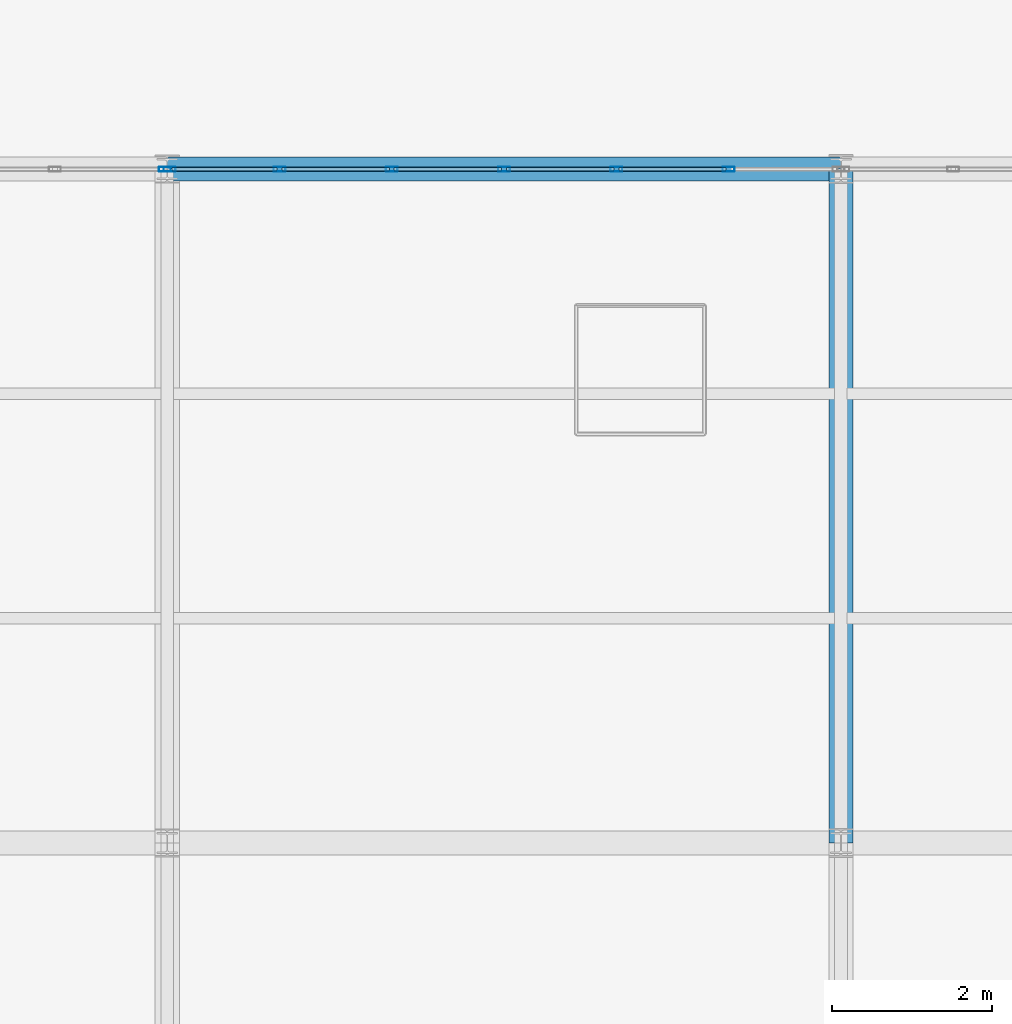
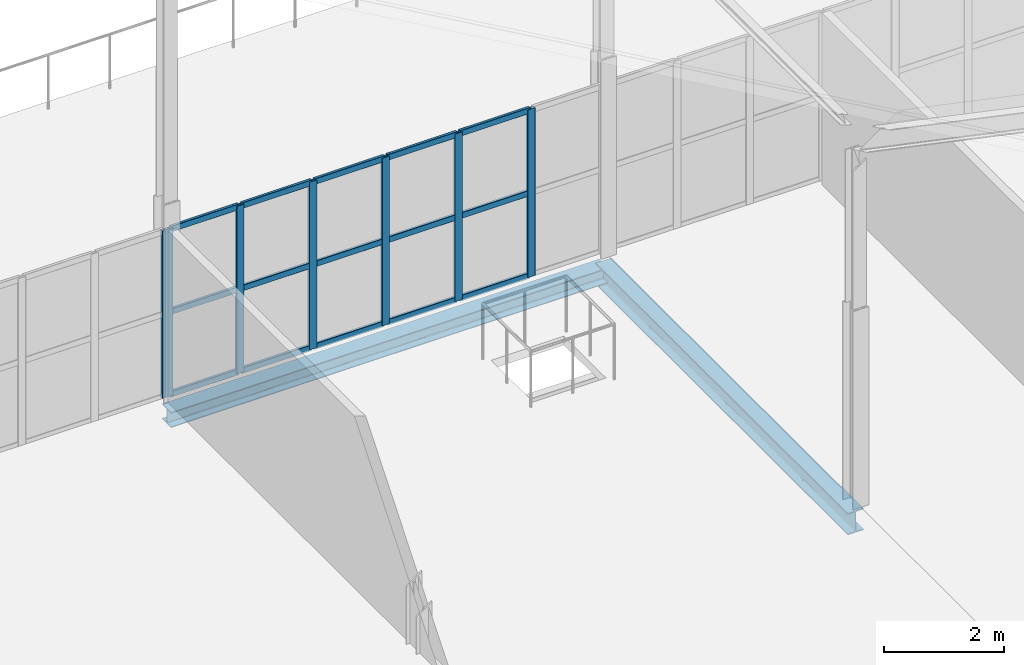
# One storey, part 108 of 184: 22 members, 2 beams, 2 elements without a shape of their own.
"""IFC4 building model written with IfcOpenShell, lengths in metres."""

from ifc_helpers import new_model, si_unit, direction, frame, origin, origin_2d, place, context, subcontext, project, spatial, hollow_rectangle, i_section, extrude, material, layer, layer_set, material_profile, profile_set, type_object, element, aggregate, save


model = new_model("IFC4")

# Units and contexts
model_context = context("Model", 3, precision=1e-05, world=origin(), true_north=direction((0.0, 1.0)))
body_context = subcontext(model_context, "Body", "Model", "MODEL_VIEW")
ifc_project = project(units=[si_unit("LENGTHUNIT", "METRE"), si_unit("AREAUNIT", "SQUARE_METRE"), si_unit("VOLUMEUNIT", "CUBIC_METRE"), si_unit("PLANEANGLEUNIT", "RADIAN"), si_unit("MASSUNIT", "GRAM", prefix="KILO")], contexts=[model_context])

# Site, building, storey
site_placement = place(None, origin())
site = spatial("IfcSite", under=ifc_project, at=site_placement, CompositionType="ELEMENT")
building_placement = place(site_placement, origin())
building = spatial("IfcBuilding", under=site, at=building_placement, Name="Qalvenar Corner Mobility Hub", CompositionType="ELEMENT")
storey_placement = place(building_placement, frame((0.0, 0.0, 9.0)))
storey = spatial("IfcBuildingStorey", under=building, at=storey_placement, Name="L02", CompositionType="ELEMENT", Elevation=9.0)

# Beams
ifc_material_1 = material(Name="Steel S355", Category="steel")
ifc_material_profile_1 = material_profile(ifc_material_1, i_section(OverallWidth=0.300048828125, OverallDepth=0.43994140625, WebThickness=0.011474609375, FlangeThickness=0.02099609375, FilletRadius=0.027099609375, at=origin_2d()), Name="HEA450")
ifc_profile_set_1 = profile_set([ifc_material_profile_1], Name="Steel S355")
beam_type_1 = type_object("IfcBeamType", Name="BM-HEA450", PredefinedType="BEAM", material=ifc_profile_set_1)
beam_1_placement = place(storey_placement, frame((16.800048828125, 75.60009765625, -0.39990234375), z_axis=(0.0, 1.0, 0.0), x_axis=(-1.0, 0.0, 0.0)))
element("IfcBeam", 1, at=beam_1_placement, inside=storey, type_object=beam_type_1, Name="Primary Steel Girder GY-1853", PredefinedType="BEAM", context=body_context, shape_type="SweptSolid", body=[
    extrude(i_section(OverallWidth=0.300048828125, OverallDepth=0.43994140625, WebThickness=0.011474609375, FlangeThickness=0.02099609375, FilletRadius=0.027099609375, at=origin_2d()), origin(), (0.0, 0.0, 1.0), 8.39990234375),
])
ifc_material_profile_2 = material_profile(ifc_material_1, i_section(OverallWidth=0.300048828125, OverallDepth=0.31005859375, WebThickness=0.009033203125, FlangeThickness=0.015380859375, FilletRadius=0.027099609375, at=origin_2d()), Name="HEA320")
ifc_profile_set_2 = profile_set([ifc_material_profile_2], Name="Steel S355")
beam_type_2 = type_object("IfcBeamType", Name="BM-SPN320", PredefinedType="SPANDREL", material=ifc_profile_set_2)
beam_2_placement = place(storey_placement, frame((8.39990234375, 84.0, -0.39697265625), z_axis=(1.0, 0.0, 0.0), x_axis=(0.0, 1.0, 0.0)))
element("IfcBeam", 2, at=beam_2_placement, inside=storey, type_object=beam_type_2, Name="Primary Steel Girder GX-1836", PredefinedType="SPANDREL", context=body_context, shape_type="SweptSolid", body=[
    extrude(i_section(OverallWidth=0.300048828125, OverallDepth=0.31005859375, WebThickness=0.009033203125, FlangeThickness=0.015380859375, FilletRadius=0.027099609375, at=origin_2d()), origin(), (0.0, 0.0, 1.0), 8.400146484375),
])

# Curtain wall, member
ifc_material_2 = material(Name="Anodised Aluminium and Low-E Glazing", Category="aluminium")
ifc_layer = layer(ifc_material_2, 0.14990234375)
ifc_layer_set = layer_set([ifc_layer], Name="Anodised Aluminium and Low-E Glazing")
curtain_wall_type = type_object("IfcCurtainWallType", Name="CW-CYC-84X39", PredefinedType="NOTDEFINED", material=ifc_layer_set)
curtain_wall_1_placement = place(storey_placement, origin())
curtain_wall_1 = element("IfcCurtainWall", 3, at=curtain_wall_1_placement, inside=storey, type_object=curtain_wall_type, Name="Glazed Curtain Wall CW-V5-L02-N0", PredefinedType="NOTDEFINED")
ifc_material_3 = material(Name="Anodised Aluminium 6063-T6", Category="aluminium")
ifc_material_profile_3 = material_profile(ifc_material_3, hollow_rectangle(XDim=0.06005859375, YDim=0.14990234375, WallThickness=0.00390625, InnerFilletRadius=0.00390625, OuterFilletRadius=0.008056640625, at=origin_2d()), Name="RHS150x60x4")
ifc_profile_set_3 = profile_set([ifc_material_profile_3], Name="Anodised Aluminium 6063-T6")
member_type_1 = type_object("IfcMemberType", Name="CW-MUL150", PredefinedType="MULLION", material=ifc_profile_set_3)
member_1_placement = place(storey_placement, frame((8.3701171875, 84.0, 0.0), z_axis=(0.0, 0.0, 1.0), x_axis=(0.0, -1.0, 0.0)))
member_1 = element("IfcMember", 4, at=member_1_placement, type_object=member_type_1, Name="CW-08 mullion 1", PredefinedType="MULLION", context=body_context, shape_type="SweptSolid", body=[
    extrude(hollow_rectangle(XDim=0.06005859375, YDim=0.14990234375, WallThickness=0.00390625, InnerFilletRadius=0.00390625, OuterFilletRadius=0.008056640625, at=origin_2d()), origin(), (0.0, 0.0, 1.0), 3.409912109375),
])
aggregate(curtain_wall_1, [member_1])

# Curtain wall, members
curtain_wall_2_placement = place(storey_placement, origin())
curtain_wall_2 = element("IfcCurtainWall", 5, at=curtain_wall_2_placement, inside=storey, type_object=curtain_wall_type, Name="Glazed Curtain Wall CW-V5-L02-N1", PredefinedType="NOTDEFINED")
member_2_placement = place(storey_placement, frame((15.39990234375, 84.0, 0.0), z_axis=(0.0, 0.0, 1.0), x_axis=(0.0, -1.0, 0.0)))
member_2 = element("IfcMember", 6, at=member_2_placement, type_object=member_type_1, Name="CW-08 mullion 2", PredefinedType="MULLION", context=body_context, shape_type="SweptSolid", body=[
    extrude(hollow_rectangle(XDim=0.06005859375, YDim=0.14990234375, WallThickness=0.00390625, InnerFilletRadius=0.00390625, OuterFilletRadius=0.008056640625, at=origin_2d()), origin(), (0.0, 0.0, 1.0), 3.409912109375),
])
member_3_placement = place(storey_placement, frame((14.0, 84.0, 0.0), z_axis=(0.0, 0.0, 1.0), x_axis=(0.0, -1.0, 0.0)))
member_3 = element("IfcMember", 7, at=member_3_placement, type_object=member_type_1, Name="CW-08 mullion 3", PredefinedType="MULLION", context=body_context, shape_type="SweptSolid", body=[
    extrude(hollow_rectangle(XDim=0.06005859375, YDim=0.14990234375, WallThickness=0.00390625, InnerFilletRadius=0.00390625, OuterFilletRadius=0.008056640625, at=origin_2d()), origin(), (0.0, 0.0, 1.0), 3.409912109375),
])
member_4_placement = place(storey_placement, frame((12.60009765625, 84.0, 0.0), z_axis=(0.0, 0.0, 1.0), x_axis=(0.0, -1.0, 0.0)))
member_4 = element("IfcMember", 8, at=member_4_placement, type_object=member_type_1, Name="CW-08 mullion 4", PredefinedType="MULLION", context=body_context, shape_type="SweptSolid", body=[
    extrude(hollow_rectangle(XDim=0.06005859375, YDim=0.14990234375, WallThickness=0.00390625, InnerFilletRadius=0.00390625, OuterFilletRadius=0.008056640625, at=origin_2d()), origin(), (0.0, 0.0, 1.0), 3.409912109375),
])
member_5_placement = place(storey_placement, frame((11.199951171875, 84.0, 0.0), z_axis=(0.0, 0.0, 1.0), x_axis=(0.0, -1.0, 0.0)))
member_5 = element("IfcMember", 9, at=member_5_placement, type_object=member_type_1, Name="CW-08 mullion 5", PredefinedType="MULLION", context=body_context, shape_type="SweptSolid", body=[
    extrude(hollow_rectangle(XDim=0.06005859375, YDim=0.14990234375, WallThickness=0.00390625, InnerFilletRadius=0.00390625, OuterFilletRadius=0.008056640625, at=origin_2d()), origin(), (0.0, 0.0, 1.0), 3.409912109375),
])
member_6_placement = place(storey_placement, frame((9.800048828125, 84.0, 0.0), z_axis=(0.0, 0.0, 1.0), x_axis=(0.0, -1.0, 0.0)))
member_6 = element("IfcMember", 10, at=member_6_placement, type_object=member_type_1, Name="CW-08 mullion 6", PredefinedType="MULLION", context=body_context, shape_type="SweptSolid", body=[
    extrude(hollow_rectangle(XDim=0.06005859375, YDim=0.14990234375, WallThickness=0.00390625, InnerFilletRadius=0.00390625, OuterFilletRadius=0.008056640625, at=origin_2d()), origin(), (0.0, 0.0, 1.0), 3.409912109375),
])
member_7_placement = place(storey_placement, frame((8.429931640625, 84.0, 0.0), z_axis=(0.0, 0.0, 1.0), x_axis=(0.0, -1.0, 0.0)))
member_7 = element("IfcMember", 11, at=member_7_placement, type_object=member_type_1, Name="CW-08 mullion 7", PredefinedType="MULLION", context=body_context, shape_type="SweptSolid", body=[
    extrude(hollow_rectangle(XDim=0.06005859375, YDim=0.14990234375, WallThickness=0.00390625, InnerFilletRadius=0.00390625, OuterFilletRadius=0.008056640625, at=origin_2d()), origin(), (0.0, 0.0, 1.0), 3.409912109375),
])
ifc_material_profile_4 = material_profile(ifc_material_3, hollow_rectangle(XDim=0.054931640625, YDim=0.1201171875, WallThickness=0.00341796875, InnerFilletRadius=0.00341796875, OuterFilletRadius=0.007080078125, at=origin_2d()), Name="RHS120x55x3.5")
ifc_profile_set_4 = profile_set([ifc_material_profile_4], Name="Anodised Aluminium 6063-T6")
member_type_2 = type_object("IfcMemberType", Name="CW-TRN120", PredefinedType="USERDEFINED", material=ifc_profile_set_4)
member_8_placement = place(storey_placement, frame((15.3701171875, 84.0, 0.027587890625), z_axis=(-1.0, 0.0, 0.0), x_axis=(0.0, -1.0, 0.0)))
member_8 = element("IfcMember", 12, at=member_8_placement, type_object=member_type_2, Name="CW-08 transom 2.1", ObjectType="TRANSOM", PredefinedType="USERDEFINED", context=body_context, shape_type="SweptSolid", body=[
    extrude(hollow_rectangle(XDim=0.054931640625, YDim=0.1201171875, WallThickness=0.00341796875, InnerFilletRadius=0.00341796875, OuterFilletRadius=0.007080078125, at=origin_2d()), origin(), (0.0, 0.0, 1.0), 1.340087890625),
])
member_9_placement = place(storey_placement, frame((15.3701171875, 84.0, 1.705078125), z_axis=(-1.0, 0.0, 0.0), x_axis=(0.0, -1.0, 0.0)))
member_9 = element("IfcMember", 13, at=member_9_placement, type_object=member_type_2, Name="CW-08 transom 2.2", ObjectType="TRANSOM", PredefinedType="USERDEFINED", context=body_context, shape_type="SweptSolid", body=[
    extrude(hollow_rectangle(XDim=0.054931640625, YDim=0.1201171875, WallThickness=0.00341796875, InnerFilletRadius=0.00341796875, OuterFilletRadius=0.007080078125, at=origin_2d()), origin(), (0.0, 0.0, 1.0), 1.340087890625),
])
member_10_placement = place(storey_placement, frame((15.3701171875, 84.0, 3.382568359375), z_axis=(-1.0, 0.0, 0.0), x_axis=(0.0, -1.0, 0.0)))
member_10 = element("IfcMember", 14, at=member_10_placement, type_object=member_type_2, Name="CW-08 transom 2.3", ObjectType="TRANSOM", PredefinedType="USERDEFINED", context=body_context, shape_type="SweptSolid", body=[
    extrude(hollow_rectangle(XDim=0.054931640625, YDim=0.1201171875, WallThickness=0.00341796875, InnerFilletRadius=0.00341796875, OuterFilletRadius=0.007080078125, at=origin_2d()), origin(), (0.0, 0.0, 1.0), 1.340087890625),
])
member_11_placement = place(storey_placement, frame((13.969970703125, 84.0, 0.027587890625), z_axis=(-1.0, 0.0, 0.0), x_axis=(0.0, -1.0, 0.0)))
member_11 = element("IfcMember", 15, at=member_11_placement, type_object=member_type_2, Name="CW-08 transom 3.1", ObjectType="TRANSOM", PredefinedType="USERDEFINED", context=body_context, shape_type="SweptSolid", body=[
    extrude(hollow_rectangle(XDim=0.054931640625, YDim=0.1201171875, WallThickness=0.00341796875, InnerFilletRadius=0.00341796875, OuterFilletRadius=0.007080078125, at=origin_2d()), origin(), (0.0, 0.0, 1.0), 1.340087890625),
])
member_12_placement = place(storey_placement, frame((13.969970703125, 84.0, 1.705078125), z_axis=(-1.0, 0.0, 0.0), x_axis=(0.0, -1.0, 0.0)))
member_12 = element("IfcMember", 16, at=member_12_placement, type_object=member_type_2, Name="CW-08 transom 3.2", ObjectType="TRANSOM", PredefinedType="USERDEFINED", context=body_context, shape_type="SweptSolid", body=[
    extrude(hollow_rectangle(XDim=0.054931640625, YDim=0.1201171875, WallThickness=0.00341796875, InnerFilletRadius=0.00341796875, OuterFilletRadius=0.007080078125, at=origin_2d()), origin(), (0.0, 0.0, 1.0), 1.340087890625),
])
member_13_placement = place(storey_placement, frame((13.969970703125, 84.0, 3.382568359375), z_axis=(-1.0, 0.0, 0.0), x_axis=(0.0, -1.0, 0.0)))
member_13 = element("IfcMember", 17, at=member_13_placement, type_object=member_type_2, Name="CW-08 transom 3.3", ObjectType="TRANSOM", PredefinedType="USERDEFINED", context=body_context, shape_type="SweptSolid", body=[
    extrude(hollow_rectangle(XDim=0.054931640625, YDim=0.1201171875, WallThickness=0.00341796875, InnerFilletRadius=0.00341796875, OuterFilletRadius=0.007080078125, at=origin_2d()), origin(), (0.0, 0.0, 1.0), 1.340087890625),
])
member_14_placement = place(storey_placement, frame((12.570068359375, 84.0, 0.027587890625), z_axis=(-1.0, 0.0, 0.0), x_axis=(0.0, -1.0, 0.0)))
member_14 = element("IfcMember", 18, at=member_14_placement, type_object=member_type_2, Name="CW-08 transom 4.1", ObjectType="TRANSOM", PredefinedType="USERDEFINED", context=body_context, shape_type="SweptSolid", body=[
    extrude(hollow_rectangle(XDim=0.054931640625, YDim=0.1201171875, WallThickness=0.00341796875, InnerFilletRadius=0.00341796875, OuterFilletRadius=0.007080078125, at=origin_2d()), origin(), (0.0, 0.0, 1.0), 1.340087890625),
])
member_15_placement = place(storey_placement, frame((12.570068359375, 84.0, 1.705078125), z_axis=(-1.0, 0.0, 0.0), x_axis=(0.0, -1.0, 0.0)))
member_15 = element("IfcMember", 19, at=member_15_placement, type_object=member_type_2, Name="CW-08 transom 4.2", ObjectType="TRANSOM", PredefinedType="USERDEFINED", context=body_context, shape_type="SweptSolid", body=[
    extrude(hollow_rectangle(XDim=0.054931640625, YDim=0.1201171875, WallThickness=0.00341796875, InnerFilletRadius=0.00341796875, OuterFilletRadius=0.007080078125, at=origin_2d()), origin(), (0.0, 0.0, 1.0), 1.340087890625),
])
member_16_placement = place(storey_placement, frame((12.570068359375, 84.0, 3.382568359375), z_axis=(-1.0, 0.0, 0.0), x_axis=(0.0, -1.0, 0.0)))
member_16 = element("IfcMember", 20, at=member_16_placement, type_object=member_type_2, Name="CW-08 transom 4.3", ObjectType="TRANSOM", PredefinedType="USERDEFINED", context=body_context, shape_type="SweptSolid", body=[
    extrude(hollow_rectangle(XDim=0.054931640625, YDim=0.1201171875, WallThickness=0.00341796875, InnerFilletRadius=0.00341796875, OuterFilletRadius=0.007080078125, at=origin_2d()), origin(), (0.0, 0.0, 1.0), 1.340087890625),
])
member_17_placement = place(storey_placement, frame((11.169921875, 84.0, 0.027587890625), z_axis=(-1.0, 0.0, 0.0), x_axis=(0.0, -1.0, 0.0)))
member_17 = element("IfcMember", 21, at=member_17_placement, type_object=member_type_2, Name="CW-08 transom 5.1", ObjectType="TRANSOM", PredefinedType="USERDEFINED", context=body_context, shape_type="SweptSolid", body=[
    extrude(hollow_rectangle(XDim=0.054931640625, YDim=0.1201171875, WallThickness=0.00341796875, InnerFilletRadius=0.00341796875, OuterFilletRadius=0.007080078125, at=origin_2d()), origin(), (0.0, 0.0, 1.0), 1.33984375),
])
member_18_placement = place(storey_placement, frame((11.169921875, 84.0, 1.705078125), z_axis=(-1.0, 0.0, 0.0), x_axis=(0.0, -1.0, 0.0)))
member_18 = element("IfcMember", 22, at=member_18_placement, type_object=member_type_2, Name="CW-08 transom 5.2", ObjectType="TRANSOM", PredefinedType="USERDEFINED", context=body_context, shape_type="SweptSolid", body=[
    extrude(hollow_rectangle(XDim=0.054931640625, YDim=0.1201171875, WallThickness=0.00341796875, InnerFilletRadius=0.00341796875, OuterFilletRadius=0.007080078125, at=origin_2d()), origin(), (0.0, 0.0, 1.0), 1.33984375),
])
member_19_placement = place(storey_placement, frame((11.169921875, 84.0, 3.382568359375), z_axis=(-1.0, 0.0, 0.0), x_axis=(0.0, -1.0, 0.0)))
member_19 = element("IfcMember", 23, at=member_19_placement, type_object=member_type_2, Name="CW-08 transom 5.3", ObjectType="TRANSOM", PredefinedType="USERDEFINED", context=body_context, shape_type="SweptSolid", body=[
    extrude(hollow_rectangle(XDim=0.054931640625, YDim=0.1201171875, WallThickness=0.00341796875, InnerFilletRadius=0.00341796875, OuterFilletRadius=0.007080078125, at=origin_2d()), origin(), (0.0, 0.0, 1.0), 1.33984375),
])
member_20_placement = place(storey_placement, frame((9.77001953125, 84.0, 0.027587890625), z_axis=(-1.0, 0.0, 0.0), x_axis=(0.0, -1.0, 0.0)))
member_20 = element("IfcMember", 24, at=member_20_placement, type_object=member_type_2, Name="CW-08 transom 6.1", ObjectType="TRANSOM", PredefinedType="USERDEFINED", context=body_context, shape_type="SweptSolid", body=[
    extrude(hollow_rectangle(XDim=0.054931640625, YDim=0.1201171875, WallThickness=0.00341796875, InnerFilletRadius=0.00341796875, OuterFilletRadius=0.007080078125, at=origin_2d()), origin(), (0.0, 0.0, 1.0), 1.31005859375),
])
member_21_placement = place(storey_placement, frame((9.77001953125, 84.0, 1.705078125), z_axis=(-1.0, 0.0, 0.0), x_axis=(0.0, -1.0, 0.0)))
member_21 = element("IfcMember", 25, at=member_21_placement, type_object=member_type_2, Name="CW-08 transom 6.2", ObjectType="TRANSOM", PredefinedType="USERDEFINED", context=body_context, shape_type="SweptSolid", body=[
    extrude(hollow_rectangle(XDim=0.054931640625, YDim=0.1201171875, WallThickness=0.00341796875, InnerFilletRadius=0.00341796875, OuterFilletRadius=0.007080078125, at=origin_2d()), origin(), (0.0, 0.0, 1.0), 1.31005859375),
])
member_22_placement = place(storey_placement, frame((9.77001953125, 84.0, 3.382568359375), z_axis=(-1.0, 0.0, 0.0), x_axis=(0.0, -1.0, 0.0)))
member_22 = element("IfcMember", 26, at=member_22_placement, type_object=member_type_2, Name="CW-08 transom 6.3", ObjectType="TRANSOM", PredefinedType="USERDEFINED", context=body_context, shape_type="SweptSolid", body=[
    extrude(hollow_rectangle(XDim=0.054931640625, YDim=0.1201171875, WallThickness=0.00341796875, InnerFilletRadius=0.00341796875, OuterFilletRadius=0.007080078125, at=origin_2d()), origin(), (0.0, 0.0, 1.0), 1.31005859375),
])
aggregate(curtain_wall_2, [member_2, member_3, member_4, member_5, member_6, member_7, member_8, member_9, member_10, member_11, member_12, member_13, member_14, member_15, member_16, member_17, member_18, member_19, member_20, member_21, member_22])

save(model, "model.ifc")
